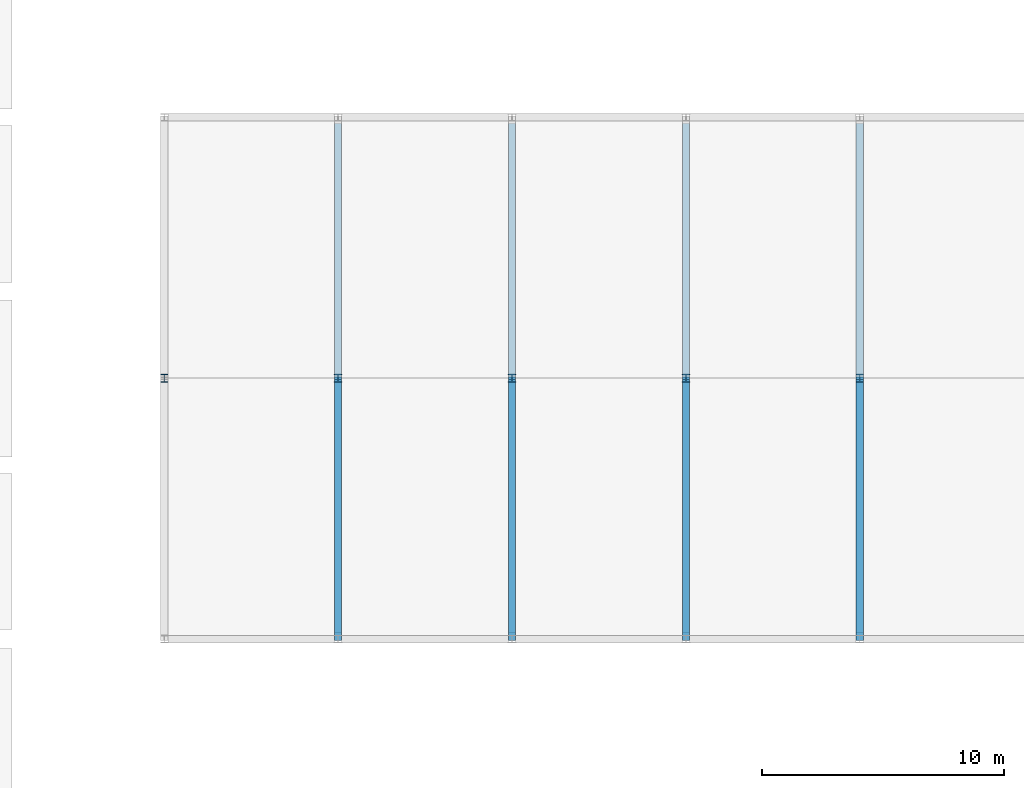
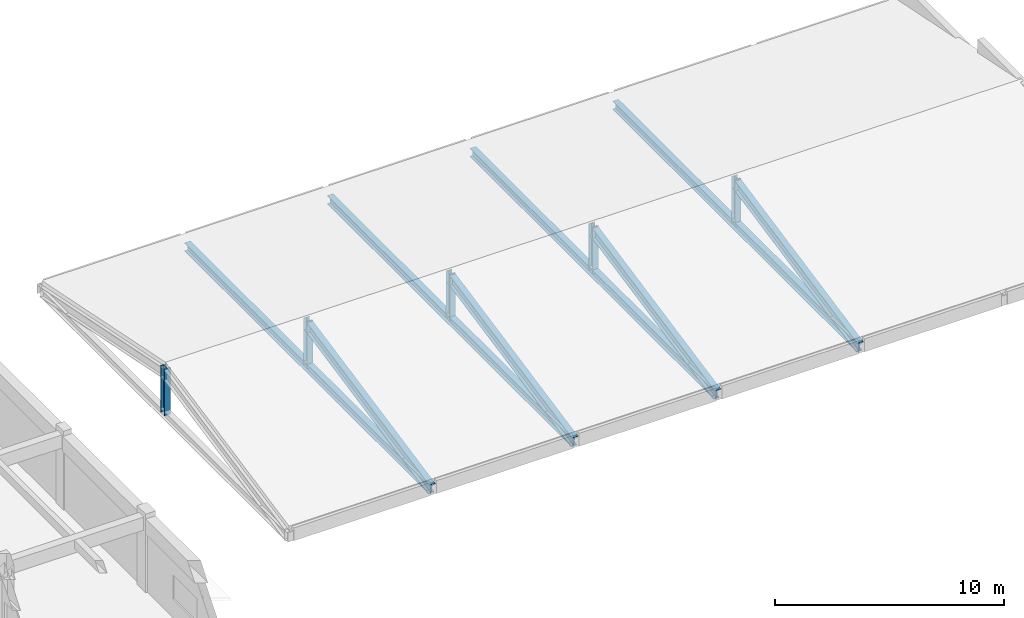
# One storey, part 19 of 103: 13 members.
"""IFC4 building model written with IfcOpenShell, lengths in metres."""

from ifc_helpers import new_model, si_unit, direction, frame, origin, origin_2d, place, context, subcontext, project, spatial, i_section, extrude, material, material_profile, profile_set, type_object, element, save


model = new_model("IFC4")

# Units and contexts
model_context = context("Model", 3, precision=1e-05, world=origin(), true_north=direction((0.0, 1.0)))
body_context = subcontext(model_context, "Body", "Model", "MODEL_VIEW")
ifc_project = project(units=[si_unit("LENGTHUNIT", "METRE"), si_unit("AREAUNIT", "SQUARE_METRE"), si_unit("VOLUMEUNIT", "CUBIC_METRE"), si_unit("PLANEANGLEUNIT", "RADIAN"), si_unit("MASSUNIT", "GRAM", prefix="KILO")], contexts=[model_context])

# Site, building, storey
site_placement = place(None, origin())
site = spatial("IfcSite", under=ifc_project, at=site_placement, CompositionType="ELEMENT")
building_placement = place(site_placement, origin())
building = spatial("IfcBuilding", under=site, at=building_placement, Name="Thalmaran Polytechnic", CompositionType="ELEMENT")
storey_placement = place(building_placement, frame((0.0, 0.0, 14.39990234375)))
storey = spatial("IfcBuildingStorey", under=building, at=storey_placement, Name="L03", CompositionType="ELEMENT", Elevation=14.39990234375)

# Members
ifc_material = material(Name="Steel S355", Category="steel")
ifc_material_profile_1 = material_profile(ifc_material, i_section(OverallWidth=0.300048828125, OverallDepth=0.449951171875, WebThickness=0.013916015625, FlangeThickness=0.02587890625, at=origin_2d()), Name="HEB 450")
ifc_profile_set_1 = profile_set([ifc_material_profile_1], Name="Steel S355")
member_type_1 = type_object("IfcMemberType", Name="MB-CHD1", PredefinedType="CHORD", material=ifc_profile_set_1)
for number, where, z_axis, x_axis, name in (
    (1, (36.0, 50.64990234375, 0.2001953125), (0.0, 1.0, 0.0), (-1.0, 0.0, 0.0), "Refectory Truss Bottom Tie G05"),
    (2, (43.199951171875, 50.64990234375, 0.2001953125), (0.0, 1.0, 0.0), (-1.0, 0.0, 0.0), "Refectory Truss Bottom Tie G06"),
    (3, (50.39990234375, 50.64990234375, 0.2001953125), (0.0, 1.0, 0.0), (-1.0, 0.0, 0.0), "Refectory Truss Bottom Tie G07"),
    (4, (57.60009765625, 50.64990234375, 0.2001953125), (0.0, 1.0, 0.0), (-1.0, 0.0, 0.0), "Refectory Truss Bottom Tie G08"),
):
    element("IfcMember", number, at=place(storey_placement, frame(where, z_axis=z_axis, x_axis=x_axis)), inside=storey, type_object=member_type_1, Name=name, PredefinedType="CHORD", context=body_context, shape_type="SweptSolid", body=[
        extrude(i_section(OverallWidth=0.300048828125, OverallDepth=0.449951171875, WebThickness=0.013916015625, FlangeThickness=0.02587890625, at=origin_2d()), origin(), (0.0, 0.0, 1.0), 21.10009765625),
    ])
ifc_material_profile_2 = material_profile(ifc_material, i_section(OverallWidth=0.300048828125, OverallDepth=0.550048828125, WebThickness=0.014892578125, FlangeThickness=0.029052734375, at=origin_2d()), Name="HEB 550")
ifc_profile_set_2 = profile_set([ifc_material_profile_2], Name="Steel S355")
member_type_2 = type_object("IfcMemberType", Name="MB-RAF1", PredefinedType="RAFTER", material=ifc_profile_set_2)
for number, where, z_axis, x_axis, name in (
    (5, (36.0, 50.39990234375, 0.2001953125), (0.0, 0.979925221211, 0.199365395278), (-1.0, 0.0, 0.0), "Refectory Parasol Rafter G05-S"),
    (6, (43.199951171875, 50.39990234375, 0.2001953125), (0.0, 0.979925221211, 0.199365395278), (-1.0, 0.0, 0.0), "Refectory Parasol Rafter G06-S"),
    (7, (50.39990234375, 50.39990234375, 0.2001953125), (0.0, 0.979925221211, 0.199365395278), (-1.0, 0.0, 0.0), "Refectory Parasol Rafter G07-S"),
    (8, (57.60009765625, 50.39990234375, 0.2001953125), (0.0, 0.979925221211, 0.199365395278), (-1.0, 0.0, 0.0), "Refectory Parasol Rafter G08-S"),
):
    element("IfcMember", number, at=place(storey_placement, frame(where, z_axis=z_axis, x_axis=x_axis)), inside=storey, type_object=member_type_2, Name=name, PredefinedType="RAFTER", context=body_context, shape_type="SweptSolid", body=[
        extrude(i_section(OverallWidth=0.300048828125, OverallDepth=0.550048828125, WebThickness=0.014892578125, FlangeThickness=0.029052734375, at=origin_2d()), origin(), (0.0, 0.0, 1.0), 11.021240234375),
    ])
ifc_material_profile_3 = material_profile(ifc_material, i_section(OverallWidth=0.300048828125, OverallDepth=0.330078125, WebThickness=0.009521484375, FlangeThickness=0.0166015625, at=origin_2d()), Name="HEA 340")
ifc_profile_set_3 = profile_set([ifc_material_profile_3], Name="Steel S355")
member_type_3 = type_object("IfcMemberType", Name="MB-TRS1", PredefinedType="STRUT", material=ifc_profile_set_3)
for number, where, z_axis, x_axis, name in (
    (9, (28.800048828125, 61.199951171875, 0.2001953125), (0.0, 0.0, 1.0), (1.0, 0.0, 0.0), "Refectory Truss Ridge Strut G04"),
    (10, (36.0, 61.199951171875, 0.2001953125), (0.0, 0.0, 1.0), (1.0, 0.0, 0.0), "Refectory Truss Ridge Strut G05"),
    (11, (43.199951171875, 61.199951171875, 0.2001953125), (0.0, 0.0, 1.0), (1.0, 0.0, 0.0), "Refectory Truss Ridge Strut G06"),
    (12, (50.39990234375, 61.199951171875, 0.2001953125), (0.0, 0.0, 1.0), (1.0, 0.0, 0.0), "Refectory Truss Ridge Strut G07"),
    (13, (57.60009765625, 61.199951171875, 0.2001953125), (0.0, 0.0, 1.0), (1.0, 0.0, 0.0), "Refectory Truss Ridge Strut G08"),
):
    element("IfcMember", number, at=place(storey_placement, frame(where, z_axis=z_axis, x_axis=x_axis)), inside=storey, type_object=member_type_3, Name=name, PredefinedType="STRUT", context=body_context, shape_type="SweptSolid", body=[
        extrude(i_section(OverallWidth=0.300048828125, OverallDepth=0.330078125, WebThickness=0.009521484375, FlangeThickness=0.0166015625, at=origin_2d()), origin(), (0.0, 0.0, 1.0), 2.507080078125),
    ])

save(model, "model.ifc")
